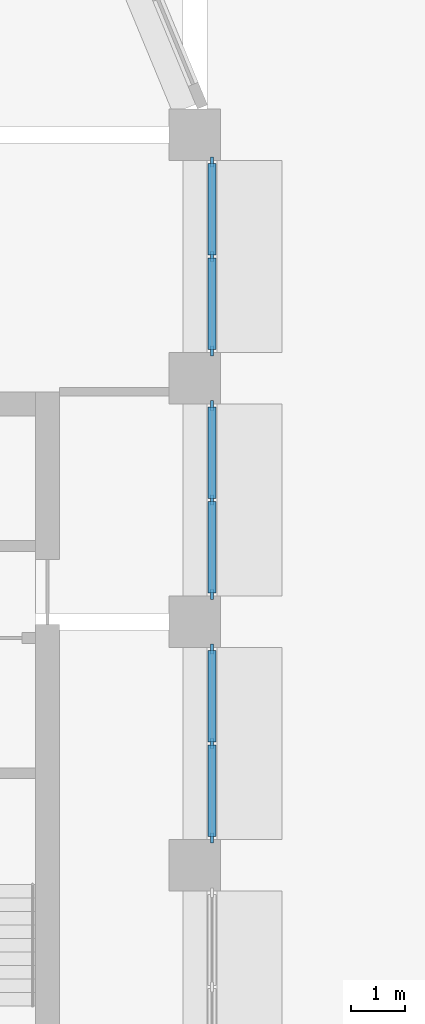
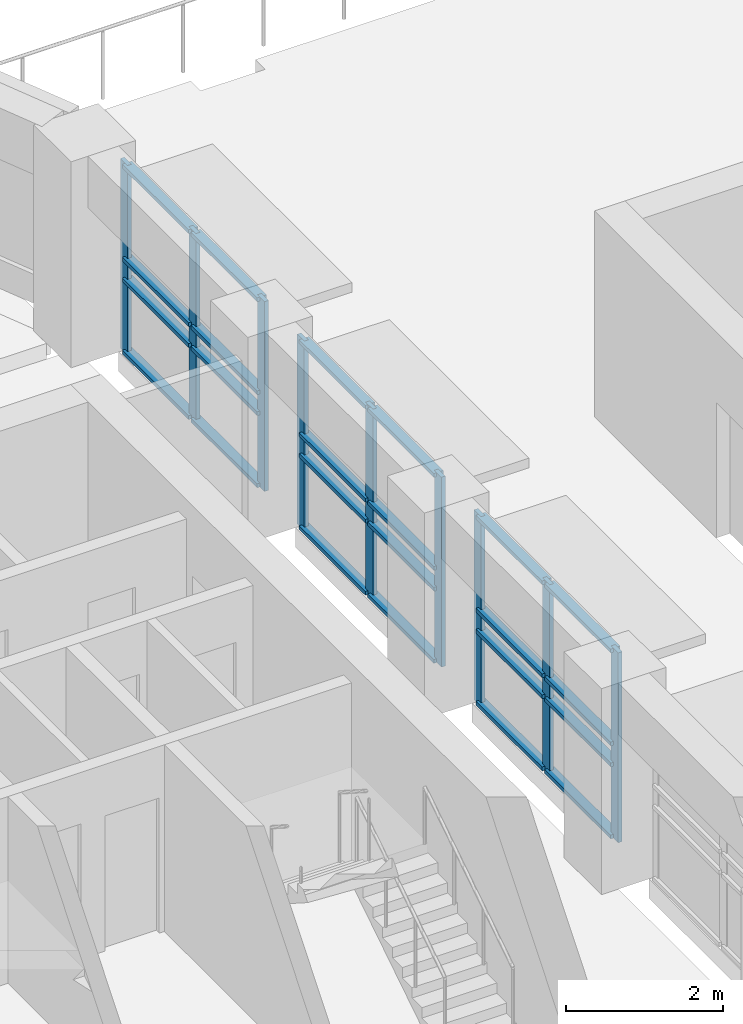
# One storey, part 4 of 15: 33 members, 3 elements without a shape of their own.
"""IFC4 building model written with IfcOpenShell, lengths in metres."""

from ifc_helpers import new_model, si_unit, direction, frame, origin, origin_2d, place, context, subcontext, project, spatial, rectangle, extrude, material, material_profile, profile_set, type_object, element, aggregate, save


model = new_model("IFC4")

# Units and contexts
model_context = context("Model", 3, precision=1e-05, world=origin(), true_north=direction((0.0, 1.0)))
body_context = subcontext(model_context, "Body", "Model", "MODEL_VIEW")
ifc_project = project(units=[si_unit("LENGTHUNIT", "METRE"), si_unit("AREAUNIT", "SQUARE_METRE"), si_unit("VOLUMEUNIT", "CUBIC_METRE"), si_unit("PLANEANGLEUNIT", "RADIAN"), si_unit("MASSUNIT", "GRAM", prefix="KILO")], contexts=[model_context])

# Site, building, storey
site_placement = place(None, origin())
site = spatial("IfcSite", under=ifc_project, at=site_placement, CompositionType="ELEMENT")
building_placement = place(site_placement, origin())
building = spatial("IfcBuilding", under=site, at=building_placement, Name="Girih Gate Residences", CompositionType="ELEMENT")
storey_placement = place(building_placement, frame((0.0, 0.0, 176.300048828125)))
storey = spatial("IfcBuildingStorey", under=building, at=storey_placement, Name="L48", CompositionType="ELEMENT", Elevation=176.300048828125)

# Curtain wall, members
ifc_material = material(Name="Aluminium curtain wall frame", Category="aluminium")
curtain_wall_type = type_object("IfcCurtainWallType", Name="Curtain wall CW-3 sky lounge glazing", PredefinedType="NOTDEFINED", material=ifc_material)
curtain_wall_1_placement = place(storey_placement, origin())
curtain_wall_1 = element("IfcCurtainWall", 1, at=curtain_wall_1_placement, inside=storey, type_object=curtain_wall_type, Name="CW-3 Sky lounge glazing E0315_0045.6", PredefinedType="NOTDEFINED")
ifc_material_profile_1 = material_profile(ifc_material, rectangle(XDim=0.06005859375, YDim=0.179931640625, at=origin_2d()))
ifc_profile_set_1 = profile_set([ifc_material_profile_1], Name="Aluminium curtain wall frame")
member_type_1 = type_object("IfcMemberType", Name="Curtain wall mullion 60x180", PredefinedType="MULLION", material=ifc_profile_set_1)
member_1_placement = place(storey_placement, frame((31.81494140625, 32.0048828125, 0.0), z_axis=(0.0, 0.0, 1.0), x_axis=(-1.0, 0.0, 0.0)))
member_1 = element("IfcMember", 2, at=member_1_placement, type_object=member_type_1, Name="CW-3 mullion 1", PredefinedType="MULLION", context=body_context, shape_type="SweptSolid", body=[
    extrude(rectangle(XDim=0.06005859375, YDim=0.179931640625, at=origin_2d()), origin(), (0.0, 0.0, 1.0), 2.949951171875),
])
member_2_placement = place(storey_placement, frame((31.81494140625, 33.75, 0.0), z_axis=(0.0, 0.0, 1.0), x_axis=(-1.0, 0.0, 0.0)))
member_2 = element("IfcMember", 3, at=member_2_placement, type_object=member_type_1, Name="CW-3 mullion 2", PredefinedType="MULLION", context=body_context, shape_type="SweptSolid", body=[
    extrude(rectangle(XDim=0.06005859375, YDim=0.179931640625, at=origin_2d()), origin(), (0.0, 0.0, 1.0), 2.949951171875),
])
member_3_placement = place(storey_placement, frame((31.81494140625, 35.4951171875, 0.0), z_axis=(0.0, 0.0, 1.0), x_axis=(-1.0, 0.0, 0.0)))
member_3 = element("IfcMember", 4, at=member_3_placement, type_object=member_type_1, Name="CW-3 mullion 3", PredefinedType="MULLION", context=body_context, shape_type="SweptSolid", body=[
    extrude(rectangle(XDim=0.06005859375, YDim=0.179931640625, at=origin_2d()), origin(), (0.0, 0.0, 1.0), 2.949951171875),
])

curtain_wall_2_placement = place(storey_placement, origin())
curtain_wall_2 = element("IfcCurtainWall", 5, at=curtain_wall_2_placement, inside=storey, type_object=curtain_wall_type, Name="CW-3 Sky lounge glazing E0315_0045.7", PredefinedType="NOTDEFINED")
member_4_placement = place(storey_placement, frame((31.81494140625, 36.5048828125, 0.0), z_axis=(0.0, 0.0, 1.0), x_axis=(-1.0, 0.0, 0.0)))
member_4 = element("IfcMember", 6, at=member_4_placement, type_object=member_type_1, Name="CW-3 mullion 1", PredefinedType="MULLION", context=body_context, shape_type="SweptSolid", body=[
    extrude(rectangle(XDim=0.06005859375, YDim=0.179931640625, at=origin_2d()), origin(), (0.0, 0.0, 1.0), 2.949951171875),
])
member_5_placement = place(storey_placement, frame((31.81494140625, 38.25, 0.0), z_axis=(0.0, 0.0, 1.0), x_axis=(-1.0, 0.0, 0.0)))
member_5 = element("IfcMember", 7, at=member_5_placement, type_object=member_type_1, Name="CW-3 mullion 2", PredefinedType="MULLION", context=body_context, shape_type="SweptSolid", body=[
    extrude(rectangle(XDim=0.06005859375, YDim=0.179931640625, at=origin_2d()), origin(), (0.0, 0.0, 1.0), 2.949951171875),
])
member_6_placement = place(storey_placement, frame((31.81494140625, 39.9951171875, 0.0), z_axis=(0.0, 0.0, 1.0), x_axis=(-1.0, 0.0, 0.0)))
member_6 = element("IfcMember", 8, at=member_6_placement, type_object=member_type_1, Name="CW-3 mullion 3", PredefinedType="MULLION", context=body_context, shape_type="SweptSolid", body=[
    extrude(rectangle(XDim=0.06005859375, YDim=0.179931640625, at=origin_2d()), origin(), (0.0, 0.0, 1.0), 2.949951171875),
])

curtain_wall_3_placement = place(storey_placement, origin())
curtain_wall_3 = element("IfcCurtainWall", 9, at=curtain_wall_3_placement, inside=storey, type_object=curtain_wall_type, Name="CW-3 Sky lounge glazing E0315_0045.8", PredefinedType="NOTDEFINED")
member_7_placement = place(storey_placement, frame((31.81494140625, 41.0048828125, 0.0), z_axis=(0.0, 0.0, 1.0), x_axis=(-1.0, 0.0, 0.0)))
member_7 = element("IfcMember", 10, at=member_7_placement, type_object=member_type_1, Name="CW-3 mullion 1", PredefinedType="MULLION", context=body_context, shape_type="SweptSolid", body=[
    extrude(rectangle(XDim=0.06005859375, YDim=0.179931640625, at=origin_2d()), origin(), (0.0, 0.0, 1.0), 2.949951171875),
])
member_8_placement = place(storey_placement, frame((31.81494140625, 42.75, 0.0), z_axis=(0.0, 0.0, 1.0), x_axis=(-1.0, 0.0, 0.0)))
member_8 = element("IfcMember", 11, at=member_8_placement, type_object=member_type_1, Name="CW-3 mullion 2", PredefinedType="MULLION", context=body_context, shape_type="SweptSolid", body=[
    extrude(rectangle(XDim=0.06005859375, YDim=0.179931640625, at=origin_2d()), origin(), (0.0, 0.0, 1.0), 2.949951171875),
])
member_9_placement = place(storey_placement, frame((31.81494140625, 44.4951171875, 0.0), z_axis=(0.0, 0.0, 1.0), x_axis=(-1.0, 0.0, 0.0)))
member_9 = element("IfcMember", 12, at=member_9_placement, type_object=member_type_1, Name="CW-3 mullion 3", PredefinedType="MULLION", context=body_context, shape_type="SweptSolid", body=[
    extrude(rectangle(XDim=0.06005859375, YDim=0.179931640625, at=origin_2d()), origin(), (0.0, 0.0, 1.0), 2.949951171875),
])

# Member
ifc_material_profile_2 = material_profile(ifc_material, rectangle(XDim=0.139892578125, YDim=0.06005859375, at=origin_2d()))
ifc_profile_set_2 = profile_set([ifc_material_profile_2], Name="Aluminium curtain wall frame")
member_type_2 = type_object("IfcMemberType", Name="Curtain wall transom 60x140", PredefinedType="USERDEFINED", material=ifc_profile_set_2)
member_10_placement = place(storey_placement, frame((31.81494140625, 32.034912109375, 0.030029296875), z_axis=(0.0, 1.0, 0.0), x_axis=(-1.0, 0.0, 0.0)))
member_10 = element("IfcMember", 13, at=member_10_placement, type_object=member_type_2, Name="CW-3 transom 1.1", ObjectType="TRANSOM", PredefinedType="USERDEFINED", context=body_context, shape_type="SweptSolid", body=[
    extrude(rectangle(XDim=0.139892578125, YDim=0.06005859375, at=origin_2d()), origin(), (0.0, 0.0, 1.0), 1.68505859375),
])

member_11_placement = place(storey_placement, frame((31.81494140625, 32.034912109375, 1.14990234375), z_axis=(0.0, 1.0, 0.0), x_axis=(-1.0, 0.0, 0.0)))
member_11 = element("IfcMember", 14, at=member_11_placement, type_object=member_type_2, Name="CW-3 transom 1.2", ObjectType="TRANSOM", PredefinedType="USERDEFINED", context=body_context, shape_type="SweptSolid", body=[
    extrude(rectangle(XDim=0.139892578125, YDim=0.06005859375, at=origin_2d()), origin(), (0.0, 0.0, 1.0), 1.68505859375),
])

member_12_placement = place(storey_placement, frame((31.81494140625, 32.034912109375, 1.474853515625), z_axis=(0.0, 1.0, 0.0), x_axis=(-1.0, 0.0, 0.0)))
member_12 = element("IfcMember", 15, at=member_12_placement, type_object=member_type_2, Name="CW-3 transom 1.3", ObjectType="TRANSOM", PredefinedType="USERDEFINED", context=body_context, shape_type="SweptSolid", body=[
    extrude(rectangle(XDim=0.139892578125, YDim=0.06005859375, at=origin_2d()), origin(), (0.0, 0.0, 1.0), 1.68505859375),
])

member_13_placement = place(storey_placement, frame((31.81494140625, 32.034912109375, 2.919921875), z_axis=(0.0, 1.0, 0.0), x_axis=(-1.0, 0.0, 0.0)))
member_13 = element("IfcMember", 16, at=member_13_placement, type_object=member_type_2, Name="CW-3 transom 1.4", ObjectType="TRANSOM", PredefinedType="USERDEFINED", context=body_context, shape_type="SweptSolid", body=[
    extrude(rectangle(XDim=0.139892578125, YDim=0.06005859375, at=origin_2d()), origin(), (0.0, 0.0, 1.0), 1.68505859375),
])

member_14_placement = place(storey_placement, frame((31.81494140625, 33.780029296875, 0.030029296875), z_axis=(0.0, 1.0, 0.0), x_axis=(-1.0, 0.0, 0.0)))
member_14 = element("IfcMember", 17, at=member_14_placement, type_object=member_type_2, Name="CW-3 transom 2.1", ObjectType="TRANSOM", PredefinedType="USERDEFINED", context=body_context, shape_type="SweptSolid", body=[
    extrude(rectangle(XDim=0.139892578125, YDim=0.06005859375, at=origin_2d()), origin(), (0.0, 0.0, 1.0), 1.68505859375),
])

member_15_placement = place(storey_placement, frame((31.81494140625, 33.780029296875, 1.14990234375), z_axis=(0.0, 1.0, 0.0), x_axis=(-1.0, 0.0, 0.0)))
member_15 = element("IfcMember", 18, at=member_15_placement, type_object=member_type_2, Name="CW-3 transom 2.2", ObjectType="TRANSOM", PredefinedType="USERDEFINED", context=body_context, shape_type="SweptSolid", body=[
    extrude(rectangle(XDim=0.139892578125, YDim=0.06005859375, at=origin_2d()), origin(), (0.0, 0.0, 1.0), 1.68505859375),
])

member_16_placement = place(storey_placement, frame((31.81494140625, 33.780029296875, 1.474853515625), z_axis=(0.0, 1.0, 0.0), x_axis=(-1.0, 0.0, 0.0)))
member_16 = element("IfcMember", 19, at=member_16_placement, type_object=member_type_2, Name="CW-3 transom 2.3", ObjectType="TRANSOM", PredefinedType="USERDEFINED", context=body_context, shape_type="SweptSolid", body=[
    extrude(rectangle(XDim=0.139892578125, YDim=0.06005859375, at=origin_2d()), origin(), (0.0, 0.0, 1.0), 1.68505859375),
])

member_17_placement = place(storey_placement, frame((31.81494140625, 33.780029296875, 2.919921875), z_axis=(0.0, 1.0, 0.0), x_axis=(-1.0, 0.0, 0.0)))
member_17 = element("IfcMember", 20, at=member_17_placement, type_object=member_type_2, Name="CW-3 transom 2.4", ObjectType="TRANSOM", PredefinedType="USERDEFINED", context=body_context, shape_type="SweptSolid", body=[
    extrude(rectangle(XDim=0.139892578125, YDim=0.06005859375, at=origin_2d()), origin(), (0.0, 0.0, 1.0), 1.68505859375),
])

aggregate(curtain_wall_1, [member_1, member_2, member_3, member_10, member_11, member_12, member_13, member_14, member_15, member_16, member_17])

member_18_placement = place(storey_placement, frame((31.81494140625, 36.534912109375, 0.030029296875), z_axis=(0.0, 1.0, 0.0), x_axis=(-1.0, 0.0, 0.0)))
member_18 = element("IfcMember", 21, at=member_18_placement, type_object=member_type_2, Name="CW-3 transom 1.1", ObjectType="TRANSOM", PredefinedType="USERDEFINED", context=body_context, shape_type="SweptSolid", body=[
    extrude(rectangle(XDim=0.139892578125, YDim=0.06005859375, at=origin_2d()), origin(), (0.0, 0.0, 1.0), 1.68505859375),
])

member_19_placement = place(storey_placement, frame((31.81494140625, 36.534912109375, 1.14990234375), z_axis=(0.0, 1.0, 0.0), x_axis=(-1.0, 0.0, 0.0)))
member_19 = element("IfcMember", 22, at=member_19_placement, type_object=member_type_2, Name="CW-3 transom 1.2", ObjectType="TRANSOM", PredefinedType="USERDEFINED", context=body_context, shape_type="SweptSolid", body=[
    extrude(rectangle(XDim=0.139892578125, YDim=0.06005859375, at=origin_2d()), origin(), (0.0, 0.0, 1.0), 1.68505859375),
])

member_20_placement = place(storey_placement, frame((31.81494140625, 36.534912109375, 1.474853515625), z_axis=(0.0, 1.0, 0.0), x_axis=(-1.0, 0.0, 0.0)))
member_20 = element("IfcMember", 23, at=member_20_placement, type_object=member_type_2, Name="CW-3 transom 1.3", ObjectType="TRANSOM", PredefinedType="USERDEFINED", context=body_context, shape_type="SweptSolid", body=[
    extrude(rectangle(XDim=0.139892578125, YDim=0.06005859375, at=origin_2d()), origin(), (0.0, 0.0, 1.0), 1.68505859375),
])

member_21_placement = place(storey_placement, frame((31.81494140625, 36.534912109375, 2.919921875), z_axis=(0.0, 1.0, 0.0), x_axis=(-1.0, 0.0, 0.0)))
member_21 = element("IfcMember", 24, at=member_21_placement, type_object=member_type_2, Name="CW-3 transom 1.4", ObjectType="TRANSOM", PredefinedType="USERDEFINED", context=body_context, shape_type="SweptSolid", body=[
    extrude(rectangle(XDim=0.139892578125, YDim=0.06005859375, at=origin_2d()), origin(), (0.0, 0.0, 1.0), 1.68505859375),
])

member_22_placement = place(storey_placement, frame((31.81494140625, 38.280029296875, 0.030029296875), z_axis=(0.0, 1.0, 0.0), x_axis=(-1.0, 0.0, 0.0)))
member_22 = element("IfcMember", 25, at=member_22_placement, type_object=member_type_2, Name="CW-3 transom 2.1", ObjectType="TRANSOM", PredefinedType="USERDEFINED", context=body_context, shape_type="SweptSolid", body=[
    extrude(rectangle(XDim=0.139892578125, YDim=0.06005859375, at=origin_2d()), origin(), (0.0, 0.0, 1.0), 1.68505859375),
])

member_23_placement = place(storey_placement, frame((31.81494140625, 38.280029296875, 1.14990234375), z_axis=(0.0, 1.0, 0.0), x_axis=(-1.0, 0.0, 0.0)))
member_23 = element("IfcMember", 26, at=member_23_placement, type_object=member_type_2, Name="CW-3 transom 2.2", ObjectType="TRANSOM", PredefinedType="USERDEFINED", context=body_context, shape_type="SweptSolid", body=[
    extrude(rectangle(XDim=0.139892578125, YDim=0.06005859375, at=origin_2d()), origin(), (0.0, 0.0, 1.0), 1.68505859375),
])

member_24_placement = place(storey_placement, frame((31.81494140625, 38.280029296875, 1.474853515625), z_axis=(0.0, 1.0, 0.0), x_axis=(-1.0, 0.0, 0.0)))
member_24 = element("IfcMember", 27, at=member_24_placement, type_object=member_type_2, Name="CW-3 transom 2.3", ObjectType="TRANSOM", PredefinedType="USERDEFINED", context=body_context, shape_type="SweptSolid", body=[
    extrude(rectangle(XDim=0.139892578125, YDim=0.06005859375, at=origin_2d()), origin(), (0.0, 0.0, 1.0), 1.68505859375),
])

member_25_placement = place(storey_placement, frame((31.81494140625, 38.280029296875, 2.919921875), z_axis=(0.0, 1.0, 0.0), x_axis=(-1.0, 0.0, 0.0)))
member_25 = element("IfcMember", 28, at=member_25_placement, type_object=member_type_2, Name="CW-3 transom 2.4", ObjectType="TRANSOM", PredefinedType="USERDEFINED", context=body_context, shape_type="SweptSolid", body=[
    extrude(rectangle(XDim=0.139892578125, YDim=0.06005859375, at=origin_2d()), origin(), (0.0, 0.0, 1.0), 1.68505859375),
])

aggregate(curtain_wall_2, [member_4, member_5, member_6, member_18, member_19, member_20, member_21, member_22, member_23, member_24, member_25])

member_26_placement = place(storey_placement, frame((31.81494140625, 41.034912109375, 0.030029296875), z_axis=(0.0, 1.0, 0.0), x_axis=(-1.0, 0.0, 0.0)))
member_26 = element("IfcMember", 29, at=member_26_placement, type_object=member_type_2, Name="CW-3 transom 1.1", ObjectType="TRANSOM", PredefinedType="USERDEFINED", context=body_context, shape_type="SweptSolid", body=[
    extrude(rectangle(XDim=0.139892578125, YDim=0.06005859375, at=origin_2d()), origin(), (0.0, 0.0, 1.0), 1.68505859375),
])

member_27_placement = place(storey_placement, frame((31.81494140625, 41.034912109375, 1.14990234375), z_axis=(0.0, 1.0, 0.0), x_axis=(-1.0, 0.0, 0.0)))
member_27 = element("IfcMember", 30, at=member_27_placement, type_object=member_type_2, Name="CW-3 transom 1.2", ObjectType="TRANSOM", PredefinedType="USERDEFINED", context=body_context, shape_type="SweptSolid", body=[
    extrude(rectangle(XDim=0.139892578125, YDim=0.06005859375, at=origin_2d()), origin(), (0.0, 0.0, 1.0), 1.68505859375),
])

member_28_placement = place(storey_placement, frame((31.81494140625, 41.034912109375, 1.474853515625), z_axis=(0.0, 1.0, 0.0), x_axis=(-1.0, 0.0, 0.0)))
member_28 = element("IfcMember", 31, at=member_28_placement, type_object=member_type_2, Name="CW-3 transom 1.3", ObjectType="TRANSOM", PredefinedType="USERDEFINED", context=body_context, shape_type="SweptSolid", body=[
    extrude(rectangle(XDim=0.139892578125, YDim=0.06005859375, at=origin_2d()), origin(), (0.0, 0.0, 1.0), 1.68505859375),
])

member_29_placement = place(storey_placement, frame((31.81494140625, 41.034912109375, 2.919921875), z_axis=(0.0, 1.0, 0.0), x_axis=(-1.0, 0.0, 0.0)))
member_29 = element("IfcMember", 32, at=member_29_placement, type_object=member_type_2, Name="CW-3 transom 1.4", ObjectType="TRANSOM", PredefinedType="USERDEFINED", context=body_context, shape_type="SweptSolid", body=[
    extrude(rectangle(XDim=0.139892578125, YDim=0.06005859375, at=origin_2d()), origin(), (0.0, 0.0, 1.0), 1.68505859375),
])

member_30_placement = place(storey_placement, frame((31.81494140625, 42.780029296875, 0.030029296875), z_axis=(0.0, 1.0, 0.0), x_axis=(-1.0, 0.0, 0.0)))
member_30 = element("IfcMember", 33, at=member_30_placement, type_object=member_type_2, Name="CW-3 transom 2.1", ObjectType="TRANSOM", PredefinedType="USERDEFINED", context=body_context, shape_type="SweptSolid", body=[
    extrude(rectangle(XDim=0.139892578125, YDim=0.06005859375, at=origin_2d()), origin(), (0.0, 0.0, 1.0), 1.68505859375),
])

member_31_placement = place(storey_placement, frame((31.81494140625, 42.780029296875, 1.14990234375), z_axis=(0.0, 1.0, 0.0), x_axis=(-1.0, 0.0, 0.0)))
member_31 = element("IfcMember", 34, at=member_31_placement, type_object=member_type_2, Name="CW-3 transom 2.2", ObjectType="TRANSOM", PredefinedType="USERDEFINED", context=body_context, shape_type="SweptSolid", body=[
    extrude(rectangle(XDim=0.139892578125, YDim=0.06005859375, at=origin_2d()), origin(), (0.0, 0.0, 1.0), 1.68505859375),
])

member_32_placement = place(storey_placement, frame((31.81494140625, 42.780029296875, 1.474853515625), z_axis=(0.0, 1.0, 0.0), x_axis=(-1.0, 0.0, 0.0)))
member_32 = element("IfcMember", 35, at=member_32_placement, type_object=member_type_2, Name="CW-3 transom 2.3", ObjectType="TRANSOM", PredefinedType="USERDEFINED", context=body_context, shape_type="SweptSolid", body=[
    extrude(rectangle(XDim=0.139892578125, YDim=0.06005859375, at=origin_2d()), origin(), (0.0, 0.0, 1.0), 1.68505859375),
])

member_33_placement = place(storey_placement, frame((31.81494140625, 42.780029296875, 2.919921875), z_axis=(0.0, 1.0, 0.0), x_axis=(-1.0, 0.0, 0.0)))
member_33 = element("IfcMember", 36, at=member_33_placement, type_object=member_type_2, Name="CW-3 transom 2.4", ObjectType="TRANSOM", PredefinedType="USERDEFINED", context=body_context, shape_type="SweptSolid", body=[
    extrude(rectangle(XDim=0.139892578125, YDim=0.06005859375, at=origin_2d()), origin(), (0.0, 0.0, 1.0), 1.68505859375),
])

aggregate(curtain_wall_3, [member_7, member_8, member_9, member_26, member_27, member_28, member_29, member_30, member_31, member_32, member_33])

save(model, "model.ifc")
